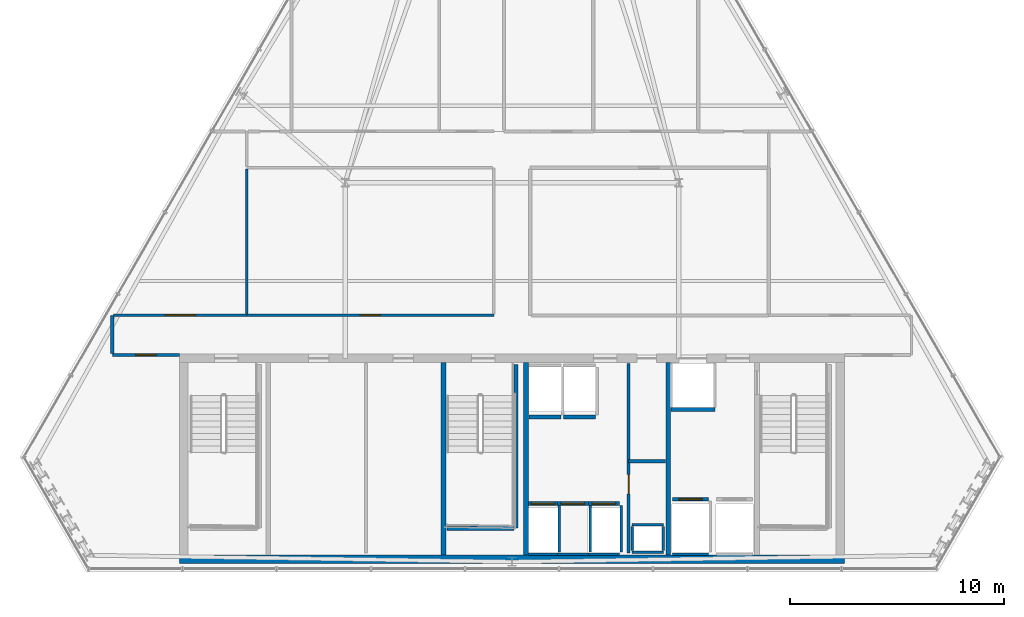
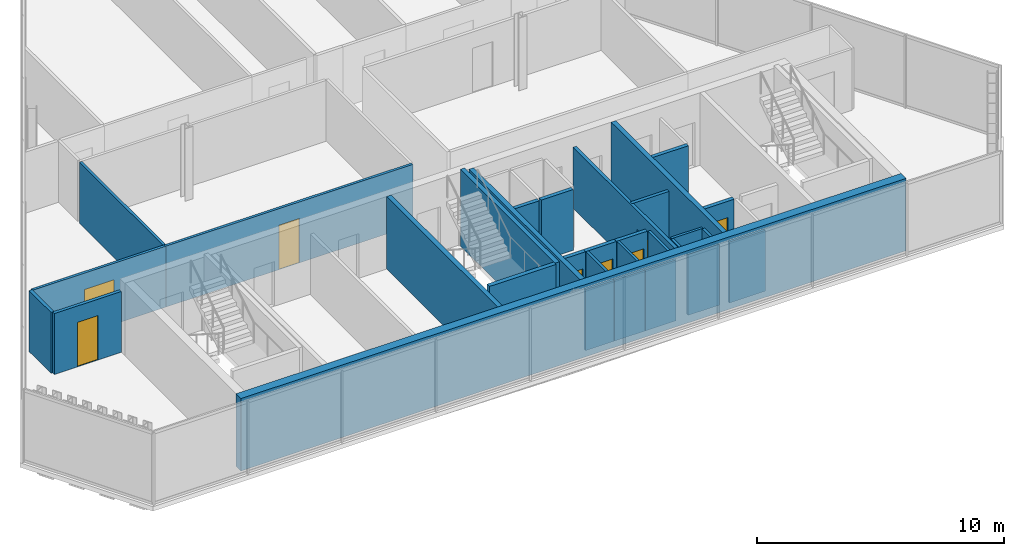
# One storey, part 27 of 32: 31 walls, 8 doors, 8 openings.
"""IFC4 building model written with IfcOpenShell, lengths in metres."""

from ifc_helpers import new_model, si_unit, direction, frame, frame_2d, origin, place, context, subcontext, project, spatial, rectangle, extrude, material, layer, layer_set, type_object, element, fill, save


model = new_model("IFC4")

# Units and contexts
model_context = context("Model", 3, precision=1e-05, world=origin(), true_north=direction((0.0, 1.0)))
body_context = subcontext(model_context, "Body", "Model", "MODEL_VIEW")
ifc_project = project(units=[si_unit("LENGTHUNIT", "METRE"), si_unit("AREAUNIT", "SQUARE_METRE"), si_unit("VOLUMEUNIT", "CUBIC_METRE"), si_unit("PLANEANGLEUNIT", "RADIAN"), si_unit("MASSUNIT", "GRAM", prefix="KILO")], contexts=[model_context])

# Site, building, storey
site_placement = place(None, origin())
site = spatial("IfcSite", under=ifc_project, at=site_placement, CompositionType="ELEMENT")
building_placement = place(site_placement, origin())
building = spatial("IfcBuilding", under=site, at=building_placement, Name="Ndaravel Arena Tower", CompositionType="ELEMENT")
storey_placement = place(building_placement, frame((0.0, 0.0, 256.0)))
storey = spatial("IfcBuildingStorey", under=building, at=storey_placement, Name="L62", CompositionType="ELEMENT", Elevation=256.0)

# Wall, opening, door
ifc_material_1 = material(Name="Gypsum", Category="gypsum")
ifc_layer_1 = layer(ifc_material_1, 0.14990234375)
ifc_layer_set_1 = layer_set([ifc_layer_1], Name="Gypsum")
wall_type_1 = type_object("IfcWallType", Name="WALL-COMP-150", PredefinedType="PARTITIONING", material=ifc_layer_set_1)
wall_1_placement = place(storey_placement, frame((47.449951171875, 5.89990234375, 0.0), z_axis=(0.0, 0.0, 1.0), x_axis=(0.0, 1.0, 0.0)))
wall_1 = element("IfcWall", 1, at=wall_1_placement, inside=storey, type_object=wall_type_1, Name="L62 Core Riser Bay Partition", PredefinedType="PARTITIONING", context=body_context, shape_type="SweptSolid", body=[
    extrude(rectangle(XDim=8.85009765625, YDim=0.14990234375, at=frame_2d((4.425048828125, 0.0))), origin(), (0.0, 0.0, 1.0), 3.010498046875),
])
opening_1_placement = place(wall_1_placement, frame((2.75, 0.0, 0.0)))
opening_1 = element("IfcOpeningElement", 2, at=opening_1_placement, cuts=wall_1, Name="Opening RD-01", PredefinedType="OPENING", context=body_context, shape_type="SweptSolid", body=[
    extrude(rectangle(XDim=0.89990234375, YDim=2.10009765625, at=frame_2d((0.449951171875, 1.050048828125))), frame((0.0, 0.074951171875, 0.0), z_axis=(0.0, -1.0, 0.0), x_axis=(1.0, 0.0, 0.0)), (0.0, 0.0, 1.0), 0.14990234375),
])
ifc_material_2 = material(Name="Steel S355", Category="steel")
door_type_1 = type_object("IfcDoorType", Name="DT-08-RISER-900", OperationType="SINGLE_SWING_LEFT", PredefinedType="DOOR", material=ifc_material_2)
door_1_placement = place(opening_1_placement, origin())
door_1 = element("IfcDoor", 3, at=door_1_placement, inside=storey, type_object=door_type_1, Name="L62 Electrical Riser Door", OperationType="SINGLE_SWING_RIGHT", OverallHeight=2.10009765625, OverallWidth=0.89990234375, PredefinedType="DOOR", context=body_context, shape_type="SweptSolid", body=[
    extrude(rectangle(XDim=0.89990234375, YDim=2.10009765625, at=frame_2d((0.449951171875, 1.050048828125))), frame((0.0, 0.02490234375, 0.0), z_axis=(0.0, -1.0, 0.0), x_axis=(1.0, 0.0, 0.0)), (0.0, 0.0, 1.0), 0.050048828125),
])
fill(opening_1, door_1)

# Walls
wall_2_placement = place(storey_placement, frame((47.449951171875, 10.179931640625, 0.0), z_axis=(0.0, 0.0, 1.0), x_axis=(1.0, 0.0, 0.0)))
element("IfcWall", 4, at=wall_2_placement, inside=storey, type_object=wall_type_1, Name="L62 Core Riser Divider 1", PredefinedType="PARTITIONING", context=body_context, shape_type="SweptSolid", body=[
    extrude(rectangle(XDim=1.72998046875, YDim=0.14990234375, at=frame_2d((0.864990234375, 0.0))), origin(), (0.0, 0.0, 1.0), 3.010498046875),
])
ifc_material_3 = material(Name="Concrete C50/60", Category="concrete")
ifc_layer_2 = layer(ifc_material_3, 0.219970703125)
ifc_layer_set_2 = layer_set([ifc_layer_2], Name="Concrete C50/60")
wall_type_2 = type_object("IfcWallType", Name="WALL-CORE-220", PredefinedType="SOLIDWALL", material=ifc_layer_set_2)
for number, where, z_axis, x_axis, name in (
    (5, (38.800048828125, 5.800048828125, 0.0), (0.0, 0.0, 1.0), (0.0, 1.0, 0.0), "L62 Core Web Shear Wall 2"),
    (6, (42.64990234375, 5.800048828125, 0.0), (0.0, 0.0, 1.0), (0.0, 1.0, 0.0), "L62 Core Web Shear Wall 3"),
    (7, (49.300048828125, 5.800048828125, 0.0), (0.0, 0.0, 1.0), (0.0, 1.0, 0.0), "L62 Core Web Shear Wall 4"),
):
    element("IfcWall", number, at=place(storey_placement, frame(where, z_axis=z_axis, x_axis=x_axis)), inside=storey, type_object=wall_type_2, Name=name, PredefinedType="SOLIDWALL", context=body_context, shape_type="SweptSolid", body=[
        extrude(rectangle(XDim=9.0, YDim=0.219970703125, at=frame_2d((4.5, 0.0))), origin(), (0.0, 0.0, 1.0), 3.580078125),
    ])
ifc_material_4 = material(Name="Concrete C50/60", Category="concrete")
ifc_layer_3 = layer(ifc_material_4, 0.39990234375)
ifc_layer_set_3 = layer_set([ifc_layer_3], Name="Concrete C50/60")
wall_type_3 = type_object("IfcWallType", Name="WALL-CORE-400", PredefinedType="SOLIDWALL", material=ifc_layer_set_3)
wall_3_placement = place(storey_placement, frame((26.449951171875, 5.60009765625, 0.0), z_axis=(0.0, 0.0, 1.0), x_axis=(1.0, 0.0, 0.0)))
element("IfcWall", 8, at=wall_3_placement, inside=storey, type_object=wall_type_3, Name="L62 Core South Shear Wall", PredefinedType="SOLIDWALL", context=body_context, shape_type="SweptSolid", body=[
    extrude(rectangle(XDim=31.10009765625, YDim=0.39990234375, at=frame_2d((15.550048828125, 0.0))), origin(), (0.0, 0.0, 1.0), 3.580078125),
])

# Wall, opening, door
ifc_material_5 = material(Name="Gypsum", Category="gypsum")
ifc_layer_4 = layer(ifc_material_5, 0.125)
ifc_layer_set_4 = layer_set([ifc_layer_4], Name="Gypsum")
wall_type_4 = type_object("IfcWallType", Name="WALL-PART-125", PredefinedType="PARTITIONING", material=ifc_layer_set_4)
wall_4_placement = place(storey_placement, frame((23.3798828125, 17.0, 0.0), z_axis=(0.0, 0.0, 1.0), x_axis=(1.0, 0.0, 0.0)))
wall_4 = element("IfcWall", 9, at=wall_4_placement, inside=storey, type_object=wall_type_4, Name="L62 Interior Partition 005", PredefinedType="PARTITIONING", context=body_context, shape_type="SweptSolid", body=[
    extrude(rectangle(XDim=6.22021484375, YDim=0.125, at=frame_2d((3.110107421875, 0.0))), origin(), (0.0, 0.0, 1.0), 3.010498046875),
])
opening_2_placement = place(wall_4_placement, frame((2.409912109375, 0.0, 0.0)))
opening_2 = element("IfcOpeningElement", 10, at=opening_2_placement, cuts=wall_4, Name="Opening ID-02", PredefinedType="OPENING", context=body_context, shape_type="SweptSolid", body=[
    extrude(rectangle(XDim=1.39990234375, YDim=2.199951171875, at=frame_2d((0.699951171875, 1.10009765625))), frame((0.0, 0.0625, 0.0), z_axis=(0.0, -1.0, 0.0), x_axis=(1.0, 0.0, 0.0)), (0.0, 0.0, 1.0), 0.125),
])
ifc_material_6 = material(Name="Timber", Category="wood")
door_type_2 = type_object("IfcDoorType", Name="DT-04-SUITE-1400", OperationType="DOUBLE_DOOR_SINGLE_SWING", PredefinedType="DOOR", material=ifc_material_6)
door_2_placement = place(opening_2_placement, origin())
door_2 = element("IfcDoor", 11, at=door_2_placement, inside=storey, type_object=door_type_2, Name="L62 Executive Boardroom Door", OperationType="SINGLE_SWING_LEFT", OverallHeight=2.199951171875, OverallWidth=1.39990234375, PredefinedType="DOOR", context=body_context, shape_type="SweptSolid", body=[
    extrude(rectangle(XDim=1.39990234375, YDim=2.199951171875, at=frame_2d((0.699951171875, 1.10009765625))), frame((0.0, 0.02490234375, 0.0), z_axis=(0.0, -1.0, 0.0), x_axis=(1.0, 0.0, 0.0)), (0.0, 0.0, 1.0), 0.050048828125),
])
fill(opening_2, door_2)

wall_5_placement = place(storey_placement, frame((29.60009765625, 17.0, 0.0), z_axis=(0.0, 0.0, 1.0), x_axis=(1.0, 0.0, 0.0)))
wall_5 = element("IfcWall", 12, at=wall_5_placement, inside=storey, type_object=wall_type_4, Name="L62 Interior Partition 006", PredefinedType="PARTITIONING", context=body_context, shape_type="SweptSolid", body=[
    extrude(rectangle(XDim=11.5498046875, YDim=0.125, at=frame_2d((5.77490234375, 0.0))), origin(), (0.0, 0.0, 1.0), 3.010498046875),
])
opening_3_placement = place(wall_5_placement, frame((5.300048828125, 0.0, 0.0)))
opening_3 = element("IfcOpeningElement", 13, at=opening_3_placement, cuts=wall_5, Name="Opening ID-01", PredefinedType="OPENING", context=body_context, shape_type="SweptSolid", body=[
    extrude(rectangle(XDim=0.949951171875, YDim=2.199951171875, at=frame_2d((0.47509765625, 1.10009765625))), frame((0.0, 0.0625, 0.0), z_axis=(0.0, -1.0, 0.0), x_axis=(1.0, 0.0, 0.0)), (0.0, 0.0, 1.0), 0.125),
])
ifc_material_7 = material(Name="Timber", Category="wood")
door_type_3 = type_object("IfcDoorType", Name="DT-03-OFFICE-950", OperationType="SINGLE_SWING_LEFT", PredefinedType="DOOR", material=ifc_material_7)
door_3_placement = place(opening_3_placement, origin())
door_3 = element("IfcDoor", 14, at=door_3_placement, inside=storey, type_object=door_type_3, Name="L62 Staff Wellness Clinic Door", OperationType="SINGLE_SWING_RIGHT", OverallHeight=2.199951171875, OverallWidth=0.949951171875, PredefinedType="DOOR", context=body_context, shape_type="SweptSolid", body=[
    extrude(rectangle(XDim=0.949951171875, YDim=2.199951171875, at=frame_2d((0.47509765625, 1.10009765625))), frame((0.0, 0.02490234375, 0.0), z_axis=(0.0, -1.0, 0.0), x_axis=(1.0, 0.0, 0.0)), (0.0, 0.0, 1.0), 0.050048828125),
])
fill(opening_3, door_3)

# Walls
wall_6_placement = place(storey_placement, frame((29.60009765625, 23.8349609375, 0.0), z_axis=(0.0, 0.0, 1.0), x_axis=(0.0, -1.0, 0.0)))
element("IfcWall", 15, at=wall_6_placement, inside=storey, type_object=wall_type_4, Name="L62 Interior Partition 022", PredefinedType="PARTITIONING", context=body_context, shape_type="SweptSolid", body=[
    extrude(rectangle(XDim=6.77001953125, YDim=0.125, at=frame_2d((3.385009765625, 0.0))), origin(), (0.0, 0.0, 1.0), 3.010498046875),
])
ifc_material_8 = material(Name="Concrete C40/50", Category="concrete")
ifc_layer_5 = layer(ifc_material_8, 0.1201171875)
ifc_layer_set_5 = layer_set([ifc_layer_5], Name="Concrete C40/50")
wall_type_5 = type_object("IfcWallType", Name="WALL-SHAFT-120", PredefinedType="SOLIDWALL", material=ifc_layer_set_5)
for number, where, z_axis, x_axis, name in (
    (16, (47.6201171875, 5.919921875, 0.0), (0.0, 0.0, 1.0), (1.0, 0.0, 0.0), "L62 MEP Riser Shaft S Wall"),
    (17, (47.6201171875, 7.219970703125, 0.0), (0.0, 0.0, 1.0), (1.0, 0.0, 0.0), "L62 MEP Riser Shaft N Wall"),
):
    element("IfcWall", number, at=place(storey_placement, frame(where, z_axis=z_axis, x_axis=x_axis)), inside=storey, type_object=wall_type_5, Name=name, PredefinedType="SOLIDWALL", context=body_context, shape_type="SweptSolid", body=[
        extrude(rectangle(XDim=1.4599609375, YDim=0.1201171875, at=frame_2d((0.72998046875, 0.0))), origin(), (0.0, 0.0, 1.0), 3.010498046875),
    ])
for number, where, z_axis, x_axis, name in (
    (18, (47.6201171875, 6.0, 0.0), (0.0, 0.0, 1.0), (0.0, 1.0, 0.0), "L62 MEP Riser Shaft W Wall"),
    (19, (49.080078125, 6.0, 0.0), (0.0, 0.0, 1.0), (0.0, 1.0, 0.0), "L62 MEP Riser Shaft E Wall"),
):
    element("IfcWall", number, at=place(storey_placement, frame(where, z_axis=z_axis, x_axis=x_axis)), inside=storey, type_object=wall_type_5, Name=name, PredefinedType="SOLIDWALL", context=body_context, shape_type="SweptSolid", body=[
        extrude(rectangle(XDim=1.139892578125, YDim=0.1201171875, at=frame_2d((0.56982421875, 0.0))), origin(), (0.0, 0.0, 1.0), 3.010498046875),
    ])
wall_7_placement = place(storey_placement, frame((42.780029296875, 5.840087890625, 0.0), z_axis=(0.0, 0.0, 1.0), x_axis=(1.0, 0.0, 0.0)))
element("IfcWall", 20, at=wall_7_placement, inside=storey, type_object=wall_type_5, Name="L62 PL-H1 Shaft Rear Wall", PredefinedType="SOLIDWALL", context=body_context, shape_type="SweptSolid", body=[
    extrude(rectangle(XDim=1.340087890625, YDim=0.1201171875, at=frame_2d((0.669921875, 0.0))), origin(), (0.0, 0.0, 1.0), 3.010498046875),
])
wall_8_placement = place(storey_placement, frame((44.199951171875, 5.929931640625, 0.0), z_axis=(0.0, 0.0, 1.0), x_axis=(0.0, 1.0, 0.0)))
element("IfcWall", 21, at=wall_8_placement, inside=storey, type_object=wall_type_5, Name="L62 PL-H1 Shaft Side R Wall", PredefinedType="SOLIDWALL", context=body_context, shape_type="SweptSolid", body=[
    extrude(rectangle(XDim=2.18017578125, YDim=0.1201171875, at=frame_2d((1.090087890625, 0.0))), origin(), (0.0, 0.0, 1.0), 3.010498046875),
])
wall_9_placement = place(storey_placement, frame((44.1298828125, 5.840087890625, 0.0), z_axis=(0.0, 0.0, 1.0), x_axis=(1.0, 0.0, 0.0)))
element("IfcWall", 22, at=wall_9_placement, inside=storey, type_object=wall_type_5, Name="L62 PL-H2 Shaft Rear Wall", PredefinedType="SOLIDWALL", context=body_context, shape_type="SweptSolid", body=[
    extrude(rectangle(XDim=1.440185546875, YDim=0.1201171875, at=frame_2d((0.72021484375, 0.0))), origin(), (0.0, 0.0, 1.0), 3.010498046875),
])
wall_10_placement = place(storey_placement, frame((45.64990234375, 5.929931640625, 0.0), z_axis=(0.0, 0.0, 1.0), x_axis=(0.0, 1.0, 0.0)))
element("IfcWall", 23, at=wall_10_placement, inside=storey, type_object=wall_type_5, Name="L62 PL-H2 Shaft Side R Wall", PredefinedType="SOLIDWALL", context=body_context, shape_type="SweptSolid", body=[
    extrude(rectangle(XDim=2.18017578125, YDim=0.1201171875, at=frame_2d((1.090087890625, 0.0))), origin(), (0.0, 0.0, 1.0), 3.010498046875),
])
wall_11_placement = place(storey_placement, frame((45.580078125, 5.840087890625, 0.0), z_axis=(0.0, 0.0, 1.0), x_axis=(1.0, 0.0, 0.0)))
element("IfcWall", 24, at=wall_11_placement, inside=storey, type_object=wall_type_5, Name="L62 PL-H3 Shaft Rear Wall", PredefinedType="SOLIDWALL", context=body_context, shape_type="SweptSolid", body=[
    extrude(rectangle(XDim=1.43994140625, YDim=0.1201171875, at=frame_2d((0.719970703125, 0.0))), origin(), (0.0, 0.0, 1.0), 3.010498046875),
])
wall_12_placement = place(storey_placement, frame((47.10009765625, 5.929931640625, 0.0), z_axis=(0.0, 0.0, 1.0), x_axis=(0.0, 1.0, 0.0)))
element("IfcWall", 25, at=wall_12_placement, inside=storey, type_object=wall_type_5, Name="L62 PL-H3 Shaft Side R Wall", PredefinedType="SOLIDWALL", context=body_context, shape_type="SweptSolid", body=[
    extrude(rectangle(XDim=2.18017578125, YDim=0.1201171875, at=frame_2d((1.090087890625, 0.0))), origin(), (0.0, 0.0, 1.0), 3.010498046875),
])
wall_13_placement = place(storey_placement, frame((49.5048828125, 5.840087890625, 0.0), z_axis=(0.0, 0.0, 1.0), x_axis=(1.0, 0.0, 0.0)))
element("IfcWall", 26, at=wall_13_placement, inside=storey, type_object=wall_type_5, Name="L62 FFL-1 Shaft Rear Wall", PredefinedType="SOLIDWALL", context=body_context, shape_type="SweptSolid", body=[
    extrude(rectangle(XDim=1.690185546875, YDim=0.1201171875, at=frame_2d((0.84521484375, 0.0))), origin(), (0.0, 0.0, 1.0), 3.010498046875),
])
ifc_material_9 = material(Name="Concrete C40/50", Category="concrete")
ifc_layer_6 = layer(ifc_material_9, 0.199951171875)
ifc_layer_set_6 = layer_set([ifc_layer_6], Name="Concrete C40/50")
wall_type_6 = type_object("IfcWallType", Name="WALL-SHAFT-200", PredefinedType="SOLIDWALL", material=ifc_layer_set_6)
wall_14_placement = place(storey_placement, frame((42.18994140625, 14.699951171875, 0.0), z_axis=(0.0, 0.0, 1.0), x_axis=(0.0, -1.0, 0.0)))
element("IfcWall", 27, at=wall_14_placement, inside=storey, type_object=wall_type_6, Name="L62 ST-2 Structural Shaft Wall Right", PredefinedType="SOLIDWALL", context=body_context, shape_type="SweptSolid", body=[
    extrude(rectangle(XDim=7.64990234375, YDim=0.199951171875, at=frame_2d((3.824951171875, 0.0))), origin(), (0.0, 0.0, 1.0), 3.800048828125),
])
wall_15_placement = place(storey_placement, frame((38.969970703125, 7.050048828125, 0.0), z_axis=(0.0, 0.0, 1.0), x_axis=(1.0, 0.0, 0.0)))
element("IfcWall", 28, at=wall_15_placement, inside=storey, type_object=wall_type_6, Name="L62 ST-2 Structural Shaft Wall Far", PredefinedType="SOLIDWALL", context=body_context, shape_type="SweptSolid", body=[
    extrude(rectangle(XDim=3.114990234375, YDim=0.199951171875, at=frame_2d((1.5576171875, 0.0))), origin(), (0.0, 0.0, 1.0), 3.800048828125),
])

# Wall, opening, door
wall_16_placement = place(storey_placement, frame((42.780029296875, 8.199951171875, 0.0), z_axis=(0.0, 0.0, 1.0), x_axis=(1.0, 0.0, 0.0)))
wall_16 = element("IfcWall", 29, at=wall_16_placement, inside=storey, type_object=wall_type_6, Name="L62 PL-H1 Shaft Landing Wall", PredefinedType="SOLIDWALL", context=body_context, shape_type="SweptSolid", body=[
    extrude(rectangle(XDim=1.340087890625, YDim=0.179931640625, at=frame_2d((0.669921875, 0.0))), origin(), (0.0, 0.0, 1.0), 3.010498046875),
])
opening_4_placement = place(wall_16_placement, frame((0.1201171875, 0.0, 0.0)))
opening_4 = element("IfcOpeningElement", 30, at=opening_4_placement, cuts=wall_16, Name="Opening LD-01", PredefinedType="OPENING", context=body_context, shape_type="SweptSolid", body=[
    extrude(rectangle(XDim=1.10009765625, YDim=2.199951171875, at=frame_2d((0.550048828125, 1.10009765625))), frame((0.0, 0.08984375, 0.0), z_axis=(0.0, -1.0, 0.0), x_axis=(1.0, 0.0, 0.0)), (0.0, 0.0, 1.0), 0.179931640625),
])
ifc_material_10 = material(Name="Steel S355", Category="steel")
door_type_4 = type_object("IfcDoorType", Name="DT-06-LIFT-1100", OperationType="SLIDING_TO_LEFT", PredefinedType="DOOR", material=ifc_material_10)
door_4_placement = place(opening_4_placement, origin())
door_4 = element("IfcDoor", 31, at=door_4_placement, inside=storey, type_object=door_type_4, Name="L62 Lift PL-H1 Sliding Landing Door", OperationType="SLIDING_TO_LEFT", OverallHeight=2.199951171875, OverallWidth=1.10009765625, PredefinedType="DOOR", context=body_context, shape_type="SweptSolid", body=[
    extrude(rectangle(XDim=1.10009765625, YDim=2.199951171875, at=frame_2d((0.550048828125, 1.10009765625))), frame((0.0, 0.02490234375, 0.0), z_axis=(0.0, -1.0, 0.0), x_axis=(1.0, 0.0, 0.0)), (0.0, 0.0, 1.0), 0.050048828125),
])
fill(opening_4, door_4)

wall_17_placement = place(storey_placement, frame((44.1298828125, 8.199951171875, 0.0), z_axis=(0.0, 0.0, 1.0), x_axis=(1.0, 0.0, 0.0)))
wall_17 = element("IfcWall", 32, at=wall_17_placement, inside=storey, type_object=wall_type_6, Name="L62 PL-H2 Shaft Landing Wall", PredefinedType="SOLIDWALL", context=body_context, shape_type="SweptSolid", body=[
    extrude(rectangle(XDim=1.440185546875, YDim=0.179931640625, at=frame_2d((0.72021484375, 0.0))), origin(), (0.0, 0.0, 1.0), 3.010498046875),
])
opening_5_placement = place(wall_17_placement, frame((0.169921875, 0.0, 0.0)))
opening_5 = element("IfcOpeningElement", 33, at=opening_5_placement, cuts=wall_17, Name="Opening LD-01", PredefinedType="OPENING", context=body_context, shape_type="SweptSolid", body=[
    extrude(rectangle(XDim=1.10009765625, YDim=2.199951171875, at=frame_2d((0.550048828125, 1.10009765625))), frame((0.0, 0.08984375, 0.0), z_axis=(0.0, -1.0, 0.0), x_axis=(1.0, 0.0, 0.0)), (0.0, 0.0, 1.0), 0.179931640625),
])
door_5_placement = place(opening_5_placement, origin())
door_5 = element("IfcDoor", 34, at=door_5_placement, inside=storey, type_object=door_type_4, Name="L62 Lift PL-H2 Sliding Landing Door", OperationType="SLIDING_TO_LEFT", OverallHeight=2.199951171875, OverallWidth=1.10009765625, PredefinedType="DOOR", context=body_context, shape_type="SweptSolid", body=[
    extrude(rectangle(XDim=1.10009765625, YDim=2.199951171875, at=frame_2d((0.550048828125, 1.10009765625))), frame((0.0, 0.02490234375, 0.0), z_axis=(0.0, -1.0, 0.0), x_axis=(1.0, 0.0, 0.0)), (0.0, 0.0, 1.0), 0.050048828125),
])
fill(opening_5, door_5)

wall_18_placement = place(storey_placement, frame((45.580078125, 8.199951171875, 0.0), z_axis=(0.0, 0.0, 1.0), x_axis=(1.0, 0.0, 0.0)))
wall_18 = element("IfcWall", 35, at=wall_18_placement, inside=storey, type_object=wall_type_6, Name="L62 PL-H3 Shaft Landing Wall", PredefinedType="SOLIDWALL", context=body_context, shape_type="SweptSolid", body=[
    extrude(rectangle(XDim=1.43994140625, YDim=0.179931640625, at=frame_2d((0.719970703125, 0.0))), origin(), (0.0, 0.0, 1.0), 3.010498046875),
])
opening_6_placement = place(wall_18_placement, frame((0.169921875, 0.0, 0.0)))
opening_6 = element("IfcOpeningElement", 36, at=opening_6_placement, cuts=wall_18, Name="Opening LD-01", PredefinedType="OPENING", context=body_context, shape_type="SweptSolid", body=[
    extrude(rectangle(XDim=1.10009765625, YDim=2.199951171875, at=frame_2d((0.550048828125, 1.10009765625))), frame((0.0, 0.08984375, 0.0), z_axis=(0.0, -1.0, 0.0), x_axis=(1.0, 0.0, 0.0)), (0.0, 0.0, 1.0), 0.179931640625),
])
door_6_placement = place(opening_6_placement, origin())
door_6 = element("IfcDoor", 37, at=door_6_placement, inside=storey, type_object=door_type_4, Name="L62 Lift PL-H3 Sliding Landing Door", OperationType="SLIDING_TO_LEFT", OverallHeight=2.199951171875, OverallWidth=1.10009765625, PredefinedType="DOOR", context=body_context, shape_type="SweptSolid", body=[
    extrude(rectangle(XDim=1.10009765625, YDim=2.199951171875, at=frame_2d((0.550048828125, 1.10009765625))), frame((0.0, 0.02490234375, 0.0), z_axis=(0.0, -1.0, 0.0), x_axis=(1.0, 0.0, 0.0)), (0.0, 0.0, 1.0), 0.050048828125),
])
fill(opening_6, door_6)

# Walls
for number, where, z_axis, x_axis, name in (
    (38, (42.804931640625, 12.25, 0.0), (0.0, 0.0, 1.0), (1.0, 0.0, 0.0), "L62 PL-OBS1 Shaft Landing Wall"),
    (39, (44.405029296875, 12.25, 0.0), (0.0, 0.0, 1.0), (1.0, 0.0, 0.0), "L62 PL-OBS2 Shaft Landing Wall"),
):
    element("IfcWall", number, at=place(storey_placement, frame(where, z_axis=z_axis, x_axis=x_axis)), inside=storey, type_object=wall_type_6, Name=name, PredefinedType="SOLIDWALL", context=body_context, shape_type="SweptSolid", body=[
        extrude(rectangle(XDim=1.489990234375, YDim=0.179931640625, at=frame_2d((0.7451171875, 0.0))), origin(), (0.0, 0.0, 1.0), 3.010498046875),
    ])

# Wall, opening, door
wall_19_placement = place(storey_placement, frame((49.5048828125, 8.39990234375, 0.0), z_axis=(0.0, 0.0, 1.0), x_axis=(1.0, 0.0, 0.0)))
wall_19 = element("IfcWall", 40, at=wall_19_placement, inside=storey, type_object=wall_type_6, Name="L62 FFL-1 Shaft Landing Wall", PredefinedType="SOLIDWALL", context=body_context, shape_type="SweptSolid", body=[
    extrude(rectangle(XDim=1.690185546875, YDim=0.179931640625, at=frame_2d((0.84521484375, 0.0))), origin(), (0.0, 0.0, 1.0), 3.010498046875),
])
opening_7_placement = place(wall_19_placement, frame((0.294921875, 0.0, 0.0)))
opening_7 = element("IfcOpeningElement", 41, at=opening_7_placement, cuts=wall_19, Name="Opening LD-01", PredefinedType="OPENING", context=body_context, shape_type="SweptSolid", body=[
    extrude(rectangle(XDim=1.10009765625, YDim=2.199951171875, at=frame_2d((0.550048828125, 1.10009765625))), frame((0.0, 0.08984375, 0.0), z_axis=(0.0, -1.0, 0.0), x_axis=(1.0, 0.0, 0.0)), (0.0, 0.0, 1.0), 0.179931640625),
])
door_7_placement = place(opening_7_placement, origin())
door_7 = element("IfcDoor", 42, at=door_7_placement, inside=storey, type_object=door_type_4, Name="L62 Lift FFL-1 Sliding Landing Door", OperationType="SLIDING_TO_LEFT", OverallHeight=2.199951171875, OverallWidth=1.10009765625, PredefinedType="DOOR", context=body_context, shape_type="SweptSolid", body=[
    extrude(rectangle(XDim=1.10009765625, YDim=2.199951171875, at=frame_2d((0.550048828125, 1.10009765625))), frame((0.0, 0.02490234375, 0.0), z_axis=(0.0, -1.0, 0.0), x_axis=(1.0, 0.0, 0.0)), (0.0, 0.0, 1.0), 0.050048828125),
])
fill(opening_7, door_7)

# Wall
wall_20_placement = place(storey_placement, frame((49.43994140625, 12.594970703125, 0.0), z_axis=(0.0, 0.0, 1.0), x_axis=(1.0, 0.0, 0.0)))
element("IfcWall", 43, at=wall_20_placement, inside=storey, type_object=wall_type_6, Name="L62 SVL-1 Shaft South Wall", PredefinedType="SOLIDWALL", context=body_context, shape_type="SweptSolid", body=[
    extrude(rectangle(XDim=2.0400390625, YDim=0.179931640625, at=frame_2d((1.02001953125, 0.0))), origin(), (0.0, 0.0, 1.0), 3.010498046875),
])

# Wall, opening, door
ifc_material_11 = material(Name="Masonry", Category="masonry")
ifc_layer_7 = layer(ifc_material_11, 0.14990234375)
ifc_layer_set_7 = layer_set([ifc_layer_7], Name="Masonry")
wall_type_7 = type_object("IfcWallType", Name="WALL-WET-150", PredefinedType="PARTITIONING", material=ifc_layer_set_7)
wall_21_placement = place(storey_placement, frame((26.449951171875, 15.14990234375, 0.0), z_axis=(0.0, 0.0, 1.0), x_axis=(-1.0, 0.0, 0.0)))
wall_21 = element("IfcWall", 44, at=wall_21_placement, inside=storey, type_object=wall_type_7, Name="L62 Interior Partition 003", PredefinedType="PARTITIONING", context=body_context, shape_type="SweptSolid", body=[
    extrude(rectangle(XDim=3.135009765625, YDim=0.14990234375, at=frame_2d((1.5673828125, 0.0))), origin(), (0.0, 0.0, 1.0), 3.010498046875),
])
opening_8_placement = place(wall_21_placement, frame((1.092529296875, 0.0, 0.0)))
opening_8 = element("IfcOpeningElement", 45, at=opening_8_placement, cuts=wall_21, Name="Opening FD-03", PredefinedType="OPENING", context=body_context, shape_type="SweptSolid", body=[
    extrude(rectangle(XDim=0.949951171875, YDim=2.199951171875, at=frame_2d((0.47509765625, 1.10009765625))), frame((0.0, 0.074951171875, 0.0), z_axis=(0.0, -1.0, 0.0), x_axis=(1.0, 0.0, 0.0)), (0.0, 0.0, 1.0), 0.14990234375),
])
ifc_material_12 = material(Name="Steel S355", Category="steel")
door_type_5 = type_object("IfcDoorType", Name="DT-11-CORE-950", OperationType="SINGLE_SWING_LEFT", PredefinedType="DOOR", material=ifc_material_12)
door_8_placement = place(opening_8_placement, origin())
door_8 = element("IfcDoor", 46, at=door_8_placement, inside=storey, type_object=door_type_5, Name="L62 Staff Espresso Kitchen Door", OperationType="SINGLE_SWING_LEFT", OverallHeight=2.199951171875, OverallWidth=0.949951171875, PredefinedType="DOOR", context=body_context, shape_type="SweptSolid", body=[
    extrude(rectangle(XDim=0.949951171875, YDim=2.199951171875, at=frame_2d((0.47509765625, 1.10009765625))), frame((0.0, 0.02490234375, 0.0), z_axis=(0.0, -1.0, 0.0), x_axis=(1.0, 0.0, 0.0)), (0.0, 0.0, 1.0), 0.050048828125),
])
fill(opening_8, door_8)

# Wall
wall_22_placement = place(storey_placement, frame((23.31494140625, 15.215087890625, 0.0), z_axis=(0.0, 0.0, 1.0), x_axis=(0.0, 1.0, 0.0)))
element("IfcWall", 47, at=wall_22_placement, inside=storey, type_object=wall_type_7, Name="L62 Interior Partition 004", PredefinedType="PARTITIONING", context=body_context, shape_type="SweptSolid", body=[
    extrude(rectangle(XDim=1.784912109375, YDim=0.14990234375, at=frame_2d((0.892578125, 0.0))), origin(), (0.0, 0.0, 1.0), 3.010498046875),
])

save(model, "model.ifc")
